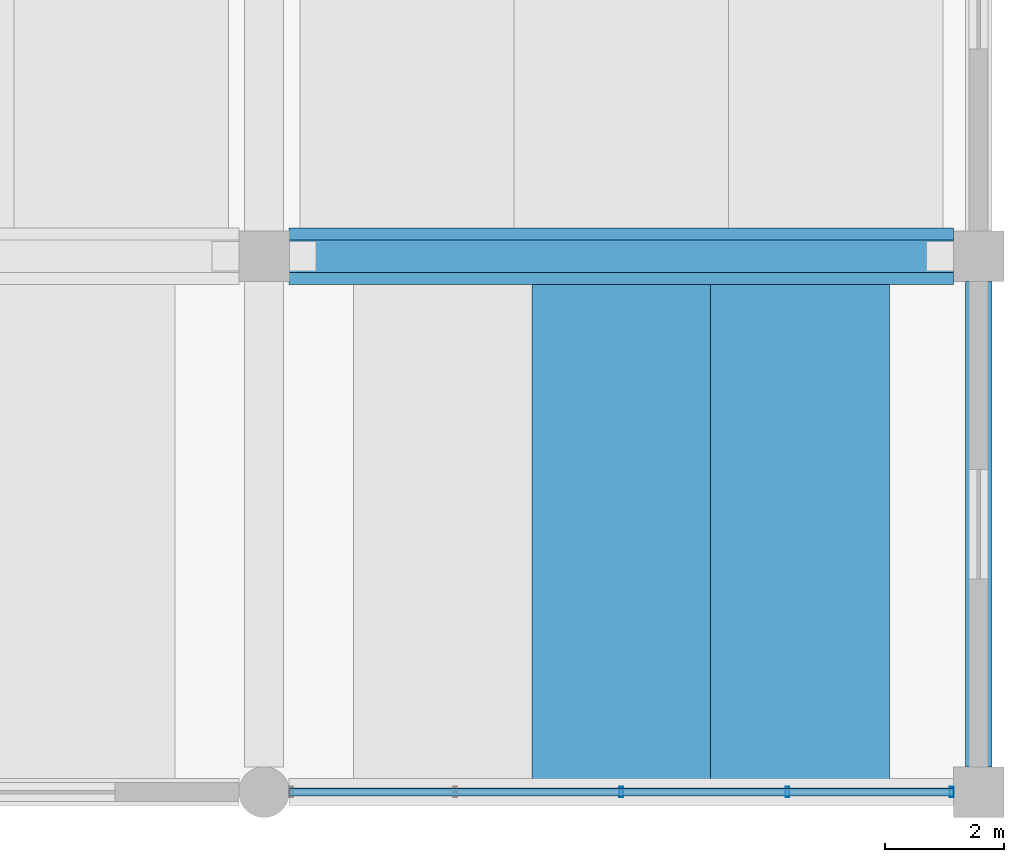
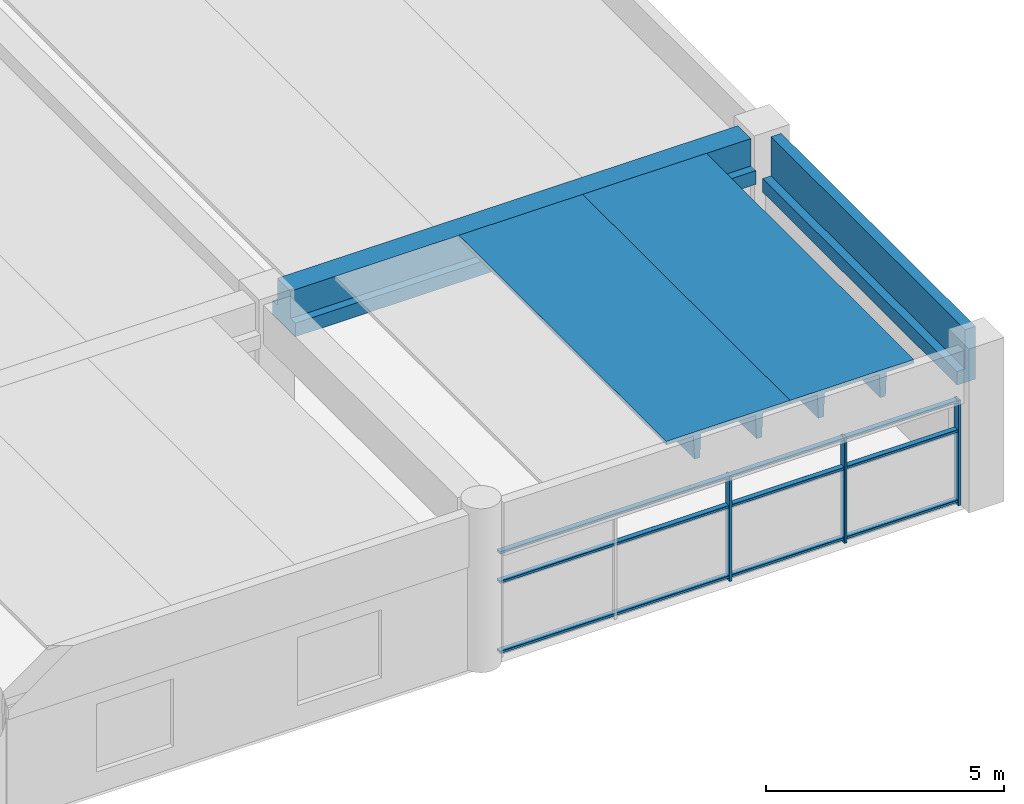
# One storey, part 25 of 50: 6 members, 4 beams, 1 element without a shape of its own.
"""IFC4 building model written with IfcOpenShell, lengths in metres."""

from ifc_helpers import new_model, si_unit, direction, frame, origin, origin_2d, place, context, subcontext, project, spatial, polyline, hollow_rectangle, outline, extrude, material, material_profile, profile_set, type_object, element, aggregate, save


model = new_model("IFC4")

# Units and contexts
model_context = context("Model", 3, precision=1e-05, world=origin(), true_north=direction((0.0, 1.0)))
body_context = subcontext(model_context, "Body", "Model", "MODEL_VIEW")
ifc_project = project(units=[si_unit("LENGTHUNIT", "METRE"), si_unit("AREAUNIT", "SQUARE_METRE"), si_unit("VOLUMEUNIT", "CUBIC_METRE"), si_unit("PLANEANGLEUNIT", "RADIAN"), si_unit("MASSUNIT", "GRAM", prefix="KILO")], contexts=[model_context])

# Site, building, storey
site_placement = place(None, origin())
site = spatial("IfcSite", under=ifc_project, at=site_placement, CompositionType="ELEMENT")
building_placement = place(site_placement, origin())
building = spatial("IfcBuilding", under=site, at=building_placement, Name="Girod Span Mobility Hub", CompositionType="ELEMENT")
storey_placement = place(building_placement, frame((0.0, 0.0, 5.39990234375)))
storey = spatial("IfcBuildingStorey", under=building, at=storey_placement, Name="L01", CompositionType="ELEMENT", Elevation=5.39990234375)

# Beams
ifc_material_1 = material(Name="Concrete C50/60", Category="concrete")
ifc_material_profile_1 = material_profile(ifc_material_1, outline(polyline([(-1.5, 0.35009765625), (-1.5, 0.2548828125), (-0.840087890625, 0.2548828125), (-0.81494140625, -0.35009765625), (-0.68505859375, -0.35009765625), (-0.659912109375, 0.2548828125), (0.659912109375, 0.2548828125), (0.68505859375, -0.35009765625), (0.81494140625, -0.35009765625), (0.840087890625, 0.2548828125), (1.5, 0.2548828125), (1.5, 0.35009765625), (-1.5, 0.35009765625)])), Name="DT-3000X700")
ifc_profile_set_1 = profile_set([ifc_material_profile_1], Name="Concrete C50/60")
beam_type_1 = type_object("IfcBeamType", Name="BM-DT-3000X700", PredefinedType="JOIST", material=ifc_profile_set_1)
for number, where, z_axis, x_axis, name in (
    (1, (162.0, 0.02197265625, 3.690185546875), (0.0, 1.0, 0.0), (-1.0, 0.0, 0.0), "Double-Tee Deck 14/A-2 L01"),
    (2, (165.0, 0.02197265625, 3.690185546875), (0.0, 1.0, 0.0), (-1.0, 0.0, 0.0), "Double-Tee Deck 14/A-3 L01"),
):
    element("IfcBeam", number, at=place(storey_placement, frame(where, z_axis=z_axis, x_axis=x_axis)), inside=storey, type_object=beam_type_1, Name=name, PredefinedType="JOIST", context=body_context, shape_type="SweptSolid", body=[
        extrude(outline(polyline([(-1.5, 0.35009765625), (-1.5, 0.2548828125), (-0.840087890625, 0.2548828125), (-0.81494140625, -0.35009765625), (-0.68505859375, -0.35009765625), (-0.659912109375, 0.2548828125), (0.659912109375, 0.2548828125), (0.68505859375, -0.35009765625), (0.81494140625, -0.35009765625), (0.840087890625, 0.2548828125), (1.5, 0.2548828125), (1.5, 0.35009765625), (-1.5, 0.35009765625)])), origin(), (0.0, 0.0, 1.0), 8.7060546875),
    ])
ifc_material_2 = material(Name="Concrete C50/60", Category="concrete")
ifc_material_profile_2 = material_profile(ifc_material_2, outline(polyline([(-0.47509765625, -0.52490234375), (0.47509765625, -0.52490234375), (0.47509765625, -0.175048828125), (0.27490234375, -0.175048828125), (0.27490234375, 0.52490234375), (-0.27490234375, 0.52490234375), (-0.27490234375, -0.175048828125), (-0.47509765625, -0.175048828125), (-0.47509765625, -0.52490234375)])), Name="IT-950X1050")
ifc_profile_set_2 = profile_set([ifc_material_profile_2], Name="Concrete C50/60")
beam_type_2 = type_object("IfcBeamType", Name="BM-IT-950X1050", PredefinedType="T_BEAM", material=ifc_profile_set_2)
beam_1_placement = place(storey_placement, frame((156.422119140625, 9.0, 3.51513671875), z_axis=(1.0, 0.0, 0.0), x_axis=(0.0, 1.0, 0.0)))
element("IfcBeam", 3, at=beam_1_placement, inside=storey, type_object=beam_type_2, Name="Girder 14-15/B L01", PredefinedType="T_BEAM", context=body_context, shape_type="SweptSolid", body=[
    extrude(outline(polyline([(-0.47509765625, -0.52490234375), (0.47509765625, -0.52490234375), (0.47509765625, -0.175048828125), (0.27490234375, -0.175048828125), (0.27490234375, 0.52490234375), (-0.27490234375, 0.52490234375), (-0.27490234375, -0.175048828125), (-0.47509765625, -0.175048828125), (-0.47509765625, -0.52490234375)])), origin(), (0.0, 0.0, 1.0), 11.15576171875),
])
ifc_material_3 = material(Name="Concrete C40/50", Category="concrete")
ifc_material_profile_3 = material_profile(ifc_material_3, outline(polyline([(-0.22509765625, -0.675048828125), (0.22509765625, -0.675048828125), (0.22509765625, -0.324951171875), (0.02490234375, -0.324951171875), (0.02490234375, 0.675048828125), (-0.22509765625, 0.675048828125), (-0.22509765625, -0.675048828125)])), Name="SP-450X1350")
ifc_profile_set_3 = profile_set([ifc_material_profile_3], Name="Concrete C40/50")
beam_type_3 = type_object("IfcBeamType", Name="BM-SP-450X1350", PredefinedType="SPANDREL", material=ifc_profile_set_3)
beam_2_placement = place(storey_placement, frame((168.0, 0.422119140625, 3.364990234375), z_axis=(0.0, 1.0, 0.0), x_axis=(-1.0, 0.0, 0.0)))
element("IfcBeam", 4, at=beam_2_placement, inside=storey, type_object=beam_type_3, Name="Tie Girder 15/A-B L01", PredefinedType="SPANDREL", context=body_context, shape_type="SweptSolid", body=[
    extrude(outline(polyline([(-0.22509765625, -0.675048828125), (0.22509765625, -0.675048828125), (0.22509765625, -0.324951171875), (0.02490234375, -0.324951171875), (0.02490234375, 0.675048828125), (-0.22509765625, 0.675048828125), (-0.22509765625, -0.675048828125)])), origin(), (0.0, 0.0, 1.0), 8.15576171875),
])

# Curtain wall, members
ifc_material_4 = material(Name="Thermally Broken Anodised Aluminium", Category="aluminium")
curtain_wall_type = type_object("IfcCurtainWallType", Name="CW-1115X269", PredefinedType="USERDEFINED", material=ifc_material_4)
curtain_wall_placement = place(storey_placement, origin())
curtain_wall = element("IfcCurtainWall", 5, at=curtain_wall_placement, inside=storey, type_object=curtain_wall_type, Name="Concourse Storefront CW-L01-S14 L01", ObjectType="CONCOURSE STOREFRONT", PredefinedType="USERDEFINED")
ifc_material_5 = material(Name="Thermally Broken Anodised Aluminium", Category="aluminium")
ifc_material_profile_4 = material_profile(ifc_material_5, hollow_rectangle(XDim=0.179931640625, YDim=0.06494140625, WallThickness=0.00390625, InnerFilletRadius=0.00390625, OuterFilletRadius=0.008056640625, at=origin_2d()), Name="CW-ML-65X180")
ifc_profile_set_4 = profile_set([ifc_material_profile_4], Name="Thermally Broken Anodised Aluminium")
member_type_1 = type_object("IfcMemberType", Name="CWM-ML-2", PredefinedType="MULLION", material=ifc_profile_set_4)
member_1_placement = place(storey_placement, frame((162.0, 0.0, 0.0), z_axis=(0.0, 0.0, 1.0), x_axis=(0.0, 1.0, 0.0)))
member_1 = element("IfcMember", 6, at=member_1_placement, type_object=member_type_1, Name="Curtain Wall Mullion CW-L01-S14-M2", PredefinedType="MULLION", context=body_context, shape_type="SweptSolid", body=[
    extrude(hollow_rectangle(XDim=0.179931640625, YDim=0.06494140625, WallThickness=0.00390625, InnerFilletRadius=0.00390625, OuterFilletRadius=0.008056640625, at=origin_2d()), origin(), (0.0, 0.0, 1.0), 2.690185546875),
])
member_2_placement = place(storey_placement, frame((164.78857421875, 0.0, 0.0), z_axis=(0.0, 0.0, 1.0), x_axis=(0.0, 1.0, 0.0)))
member_2 = element("IfcMember", 7, at=member_2_placement, type_object=member_type_1, Name="Curtain Wall Mullion CW-L01-S14-M3", PredefinedType="MULLION", context=body_context, shape_type="SweptSolid", body=[
    extrude(hollow_rectangle(XDim=0.179931640625, YDim=0.06494140625, WallThickness=0.00390625, InnerFilletRadius=0.00390625, OuterFilletRadius=0.008056640625, at=origin_2d()), origin(), (0.0, 0.0, 1.0), 2.690185546875),
])
member_3_placement = place(storey_placement, frame((167.544921875, 0.0, 0.0), z_axis=(0.0, 0.0, 1.0), x_axis=(0.0, 1.0, 0.0)))
member_3 = element("IfcMember", 8, at=member_3_placement, type_object=member_type_1, Name="Curtain Wall Mullion CW-L01-S14-M4", PredefinedType="MULLION", context=body_context, shape_type="SweptSolid", body=[
    extrude(hollow_rectangle(XDim=0.179931640625, YDim=0.06494140625, WallThickness=0.00390625, InnerFilletRadius=0.00390625, OuterFilletRadius=0.008056640625, at=origin_2d()), origin(), (0.0, 0.0, 1.0), 2.690185546875),
])
ifc_material_6 = material(Name="Thermally Broken Anodised Aluminium", Category="aluminium")
ifc_material_profile_5 = material_profile(ifc_material_6, hollow_rectangle(XDim=0.135009765625, YDim=0.06494140625, WallThickness=0.00390625, InnerFilletRadius=0.00390625, OuterFilletRadius=0.008056640625, at=origin_2d()), Name="CW-TR-65X135")
ifc_profile_set_5 = profile_set([ifc_material_profile_5], Name="Thermally Broken Anodised Aluminium")
member_type_2 = type_object("IfcMemberType", Name="CWM-TR-2", PredefinedType="USERDEFINED", material=ifc_profile_set_5)
member_4_placement = place(storey_placement, frame((156.423095703125, 0.0, 0.107666015625), z_axis=(1.0, 0.0, 0.0), x_axis=(0.0, 1.0, 0.0)))
member_4 = element("IfcMember", 9, at=member_4_placement, type_object=member_type_2, Name="Curtain Wall Transom CW-L01-S14-T1", ObjectType="TRANSOM", PredefinedType="USERDEFINED", context=body_context, shape_type="SweptSolid", body=[
    extrude(hollow_rectangle(XDim=0.135009765625, YDim=0.06494140625, WallThickness=0.00390625, InnerFilletRadius=0.00390625, OuterFilletRadius=0.008056640625, at=origin_2d()), origin(), (0.0, 0.0, 1.0), 11.15380859375),
])
member_5_placement = place(storey_placement, frame((156.423095703125, 0.0, 1.904296875), z_axis=(1.0, 0.0, 0.0), x_axis=(0.0, 1.0, 0.0)))
member_5 = element("IfcMember", 10, at=member_5_placement, type_object=member_type_2, Name="Curtain Wall Transom CW-L01-S14-T2", ObjectType="TRANSOM", PredefinedType="USERDEFINED", context=body_context, shape_type="SweptSolid", body=[
    extrude(hollow_rectangle(XDim=0.135009765625, YDim=0.06494140625, WallThickness=0.00390625, InnerFilletRadius=0.00390625, OuterFilletRadius=0.008056640625, at=origin_2d()), origin(), (0.0, 0.0, 1.0), 11.15380859375),
])
member_6_placement = place(storey_placement, frame((156.423095703125, 0.0, 2.65771484375), z_axis=(1.0, 0.0, 0.0), x_axis=(0.0, 1.0, 0.0)))
member_6 = element("IfcMember", 11, at=member_6_placement, type_object=member_type_2, Name="Curtain Wall Transom CW-L01-S14-T3", ObjectType="TRANSOM", PredefinedType="USERDEFINED", context=body_context, shape_type="SweptSolid", body=[
    extrude(hollow_rectangle(XDim=0.135009765625, YDim=0.06494140625, WallThickness=0.00390625, InnerFilletRadius=0.00390625, OuterFilletRadius=0.008056640625, at=origin_2d()), origin(), (0.0, 0.0, 1.0), 11.15380859375),
])
aggregate(curtain_wall, [member_1, member_2, member_3, member_4, member_5, member_6])

save(model, "model.ifc")
